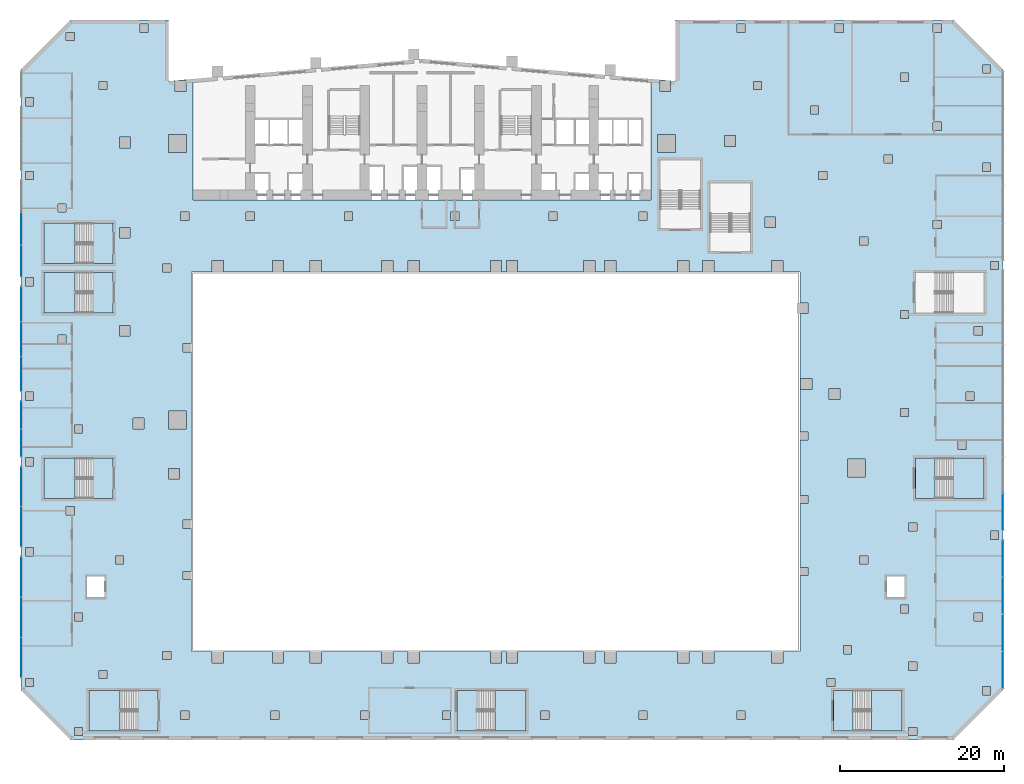
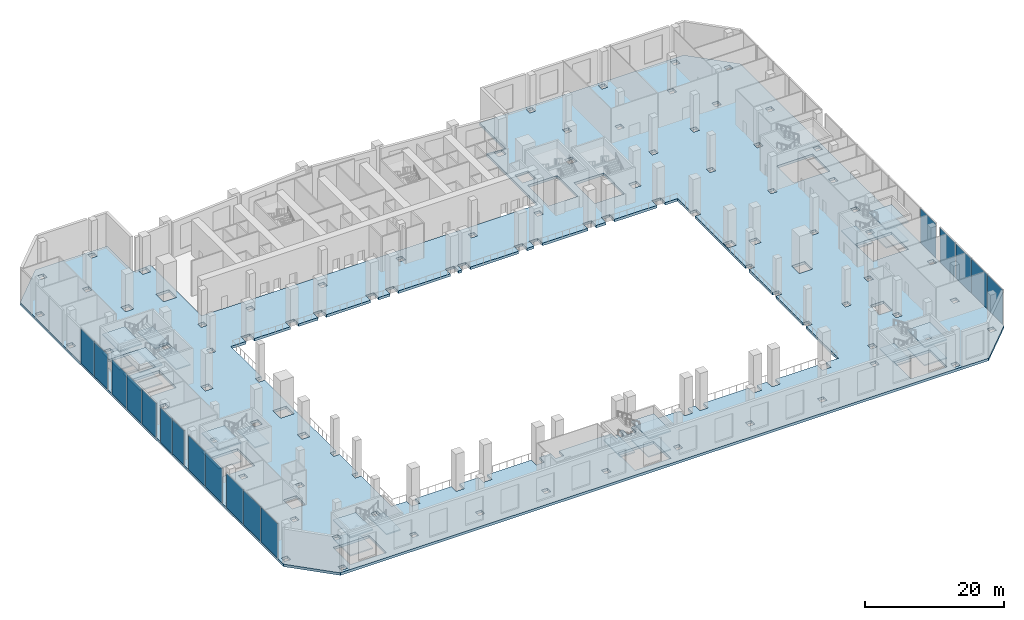
# One storey, part 8 of 30: 22 slabs, 17 plates, 14 elements without a shape of their own.
"""IFC4 building model written with IfcOpenShell, lengths in metres."""

from ifc_helpers import new_model, si_unit, direction, frame, origin, origin_2d, place, context, subcontext, project, spatial, polyline, rectangle, outline, extrude, material, layer, layer_set, type_object, element, aggregate, save


model = new_model("IFC4")

# Units and contexts
model_context = context("Model", 3, precision=1e-05, world=origin(), true_north=direction((0.0, 1.0)))
body_context = subcontext(model_context, "Body", "Model", "MODEL_VIEW")
ifc_project = project(units=[si_unit("LENGTHUNIT", "METRE"), si_unit("AREAUNIT", "SQUARE_METRE"), si_unit("VOLUMEUNIT", "CUBIC_METRE"), si_unit("PLANEANGLEUNIT", "RADIAN"), si_unit("MASSUNIT", "GRAM", prefix="KILO")], contexts=[model_context])

# Site, building, storey
site_placement = place(None, origin())
site = spatial("IfcSite", under=ifc_project, at=site_placement, CompositionType="ELEMENT")
building_placement = place(site_placement, origin())
building = spatial("IfcBuilding", under=site, at=building_placement, Name="Wharfspan Tower", CompositionType="ELEMENT")
storey_placement = place(building_placement, frame((0.0, 0.0, 15.0)))
storey = spatial("IfcBuildingStorey", under=building, at=storey_placement, Name="L02", CompositionType="ELEMENT", Elevation=15.0)

# Curtain wall, plates
ifc_material_1 = material(Name="Aluminium 6063-T6", Category="aluminium")
curtain_wall_type = type_object("IfcCurtainWallType", Name="CURTAIN WALL ARENA STICK WALL", PredefinedType="NOTDEFINED", material=ifc_material_1)
curtain_wall_1_placement = place(storey_placement, origin())
curtain_wall_1 = element("IfcCurtainWall", 1, at=curtain_wall_1_placement, inside=storey, type_object=curtain_wall_type, Name="Concourse stick wall PF3.1", PredefinedType="NOTDEFINED")
ifc_material_2 = material(Name="Glass clear laminated double glazing", Category="glass")
ifc_layer_1 = layer(ifc_material_2, 0.040039)
ifc_layer_set_1 = layer_set([ifc_layer_1], Name="Glass clear laminated double glazing")
plate_type = type_object("IfcPlateType", Name="GLASS PANEL ARENA STICK WALL 40", PredefinedType="CURTAIN_PANEL", material=ifc_layer_set_1)
plate_1_placement = place(storey_placement, frame((108.0, -23.45752, 0.0), z_axis=(0.0, 0.0, 1.0), x_axis=(0.0, 1.0, 0.0)))
plate_1 = element("IfcPlate", 2, at=plate_1_placement, type_object=plate_type, Name="Concourse stick wall PF3.1 panel 1", PredefinedType="CURTAIN_PANEL", context=body_context, shape_type="SweptSolid", body=[
    extrude(rectangle(XDim=4.445068, YDim=0.040039, at=origin_2d()), origin(), (0.0, 0.0, 1.0), 6.110107),
])
plate_2_placement = place(storey_placement, frame((108.0, -18.925049, 0.0), z_axis=(0.0, 0.0, 1.0), x_axis=(0.0, 1.0, 0.0)))
plate_2 = element("IfcPlate", 3, at=plate_2_placement, type_object=plate_type, Name="Concourse stick wall PF3.1 panel 2", PredefinedType="CURTAIN_PANEL", context=body_context, shape_type="SweptSolid", body=[
    extrude(rectangle(XDim=4.47998, YDim=0.040039, at=origin_2d()), origin(), (0.0, 0.0, 1.0), 6.110107),
])
plate_3_placement = place(storey_placement, frame((108.0, -14.375, 0.0), z_axis=(0.0, 0.0, 1.0), x_axis=(0.0, 1.0, 0.0)))
plate_3 = element("IfcPlate", 4, at=plate_3_placement, type_object=plate_type, Name="Concourse stick wall PF3.1 panel 3", PredefinedType="CURTAIN_PANEL", context=body_context, shape_type="SweptSolid", body=[
    extrude(rectangle(XDim=4.47998, YDim=0.040039, at=origin_2d()), origin(), (0.0, 0.0, 1.0), 6.110107),
])
plate_4_placement = place(storey_placement, frame((108.0, -9.842529, 0.0), z_axis=(0.0, 0.0, 1.0), x_axis=(0.0, 1.0, 0.0)))
plate_4 = element("IfcPlate", 5, at=plate_4_placement, type_object=plate_type, Name="Concourse stick wall PF3.1 panel 4", PredefinedType="CURTAIN_PANEL", context=body_context, shape_type="SweptSolid", body=[
    extrude(rectangle(XDim=4.445068, YDim=0.040039, at=origin_2d()), origin(), (0.0, 0.0, 1.0), 6.110107),
])
aggregate(curtain_wall_1, [plate_1, plate_2, plate_3, plate_4])

# Curtain wall, plate
curtain_wall_2_placement = place(storey_placement, origin())
curtain_wall_2 = element("IfcCurtainWall", 6, at=curtain_wall_2_placement, inside=storey, type_object=curtain_wall_type, Name="Concourse stick wall PF3.2", PredefinedType="NOTDEFINED")
plate_5_placement = place(storey_placement, frame((108.0, -4.153809, 0.0), z_axis=(0.0, 0.0, 1.0), x_axis=(0.0, 1.0, 0.0)))
plate_5 = element("IfcPlate", 7, at=plate_5_placement, type_object=plate_type, Name="Concourse stick wall PF3.2 panel 1", PredefinedType="CURTAIN_PANEL", context=body_context, shape_type="SweptSolid", body=[
    extrude(rectangle(XDim=4.452148, YDim=0.040039, at=origin_2d()), origin(), (0.0, 0.0, 1.0), 6.110107),
])
aggregate(curtain_wall_2, [plate_5])

# Curtain wall, plates
curtain_wall_3_placement = place(storey_placement, origin())
curtain_wall_3 = element("IfcCurtainWall", 8, at=curtain_wall_3_placement, inside=storey, type_object=curtain_wall_type, Name="Concourse stick wall PF12.3", PredefinedType="NOTDEFINED")
plate_6_placement = place(storey_placement, frame((-12.0, 30.5, 0.0), z_axis=(0.0, 0.0, 1.0), x_axis=(0.0, -1.0, 0.0)))
plate_6 = element("IfcPlate", 9, at=plate_6_placement, type_object=plate_type, Name="Concourse stick wall PF12.3 panel 2", PredefinedType="CURTAIN_PANEL", context=body_context, shape_type="SweptSolid", body=[
    extrude(rectangle(XDim=3.896729, YDim=0.040039, at=origin_2d()), origin(), (0.0, 0.0, 1.0), 6.110107),
])
plate_7_placement = place(storey_placement, frame((-12.0, 26.550781, 0.0), z_axis=(0.0, 0.0, 1.0), x_axis=(0.0, -1.0, 0.0)))
plate_7 = element("IfcPlate", 10, at=plate_7_placement, type_object=plate_type, Name="Concourse stick wall PF12.3 panel 3", PredefinedType="CURTAIN_PANEL", context=body_context, shape_type="SweptSolid", body=[
    extrude(rectangle(XDim=3.861572, YDim=0.040039, at=origin_2d()), origin(), (0.0, 0.0, 1.0), 6.110107),
])
aggregate(curtain_wall_3, [plate_6, plate_7])

curtain_wall_4_placement = place(storey_placement, origin())
curtain_wall_4 = element("IfcCurtainWall", 11, at=curtain_wall_4_placement, inside=storey, type_object=curtain_wall_type, Name="Concourse stick wall PF12.4", PredefinedType="NOTDEFINED")
plate_8_placement = place(storey_placement, frame((-12.0, 21.282471, 0.0), z_axis=(0.0, 0.0, 1.0), x_axis=(0.0, -1.0, 0.0)))
plate_8 = element("IfcPlate", 12, at=plate_8_placement, type_object=plate_type, Name="Concourse stick wall PF12.4 panel 1", PredefinedType="CURTAIN_PANEL", context=body_context, shape_type="SweptSolid", body=[
    extrude(rectangle(XDim=4.195068, YDim=0.040039, at=origin_2d()), origin(), (0.0, 0.0, 1.0), 6.110107),
])
plate_9_placement = place(storey_placement, frame((-12.0, 17.0, 0.0), z_axis=(0.0, 0.0, 1.0), x_axis=(0.0, -1.0, 0.0)))
plate_9 = element("IfcPlate", 13, at=plate_9_placement, type_object=plate_type, Name="Concourse stick wall PF12.4 panel 2", PredefinedType="CURTAIN_PANEL", context=body_context, shape_type="SweptSolid", body=[
    extrude(rectangle(XDim=4.22998, YDim=0.040039, at=origin_2d()), origin(), (0.0, 0.0, 1.0), 6.110107),
])
plate_10_placement = place(storey_placement, frame((-12.0, 12.717529, 0.0), z_axis=(0.0, 0.0, 1.0), x_axis=(0.0, -1.0, 0.0)))
plate_10 = element("IfcPlate", 14, at=plate_10_placement, type_object=plate_type, Name="Concourse stick wall PF12.4 panel 3", PredefinedType="CURTAIN_PANEL", context=body_context, shape_type="SweptSolid", body=[
    extrude(rectangle(XDim=4.195068, YDim=0.040039, at=origin_2d()), origin(), (0.0, 0.0, 1.0), 6.110107),
])
aggregate(curtain_wall_4, [plate_8, plate_9, plate_10])

curtain_wall_5_placement = place(storey_placement, origin())
curtain_wall_5 = element("IfcCurtainWall", 15, at=curtain_wall_5_placement, inside=storey, type_object=curtain_wall_type, Name="Concourse stick wall PF12.5", PredefinedType="NOTDEFINED")
plate_11_placement = place(storey_placement, frame((-12.0, 7.70752, 0.0), z_axis=(0.0, 0.0, 1.0), x_axis=(0.0, -1.0, 0.0)))
plate_11 = element("IfcPlate", 16, at=plate_11_placement, type_object=plate_type, Name="Concourse stick wall PF12.5 panel 1", PredefinedType="CURTAIN_PANEL", context=body_context, shape_type="SweptSolid", body=[
    extrude(rectangle(XDim=3.344971, YDim=0.040039, at=origin_2d()), origin(), (0.0, 0.0, 1.0), 6.110107),
])
plate_12_placement = place(storey_placement, frame((-12.0, 4.29248, 0.0), z_axis=(0.0, 0.0, 1.0), x_axis=(0.0, -1.0, 0.0)))
plate_12 = element("IfcPlate", 17, at=plate_12_placement, type_object=plate_type, Name="Concourse stick wall PF12.5 panel 2", PredefinedType="CURTAIN_PANEL", context=body_context, shape_type="SweptSolid", body=[
    extrude(rectangle(XDim=3.344971, YDim=0.040039, at=origin_2d()), origin(), (0.0, 0.0, 1.0), 6.110107),
])
aggregate(curtain_wall_5, [plate_11, plate_12])

curtain_wall_6_placement = place(storey_placement, origin())
curtain_wall_6 = element("IfcCurtainWall", 18, at=curtain_wall_6_placement, inside=storey, type_object=curtain_wall_type, Name="Concourse stick wall PF12.6", PredefinedType="NOTDEFINED")
plate_13_placement = place(storey_placement, frame((-12.0, -1.04248, 0.0), z_axis=(0.0, 0.0, 1.0), x_axis=(0.0, -1.0, 0.0)))
plate_13 = element("IfcPlate", 19, at=plate_13_placement, type_object=plate_type, Name="Concourse stick wall PF12.6 panel 1", PredefinedType="CURTAIN_PANEL", context=body_context, shape_type="SweptSolid", body=[
    extrude(rectangle(XDim=4.844971, YDim=0.040039, at=origin_2d()), origin(), (0.0, 0.0, 1.0), 6.110107),
])
plate_14_placement = place(storey_placement, frame((-12.0, -5.95752, 0.0), z_axis=(0.0, 0.0, 1.0), x_axis=(0.0, -1.0, 0.0)))
plate_14 = element("IfcPlate", 20, at=plate_14_placement, type_object=plate_type, Name="Concourse stick wall PF12.6 panel 2", PredefinedType="CURTAIN_PANEL", context=body_context, shape_type="SweptSolid", body=[
    extrude(rectangle(XDim=4.844971, YDim=0.040039, at=origin_2d()), origin(), (0.0, 0.0, 1.0), 6.110107),
])
aggregate(curtain_wall_6, [plate_13, plate_14])

curtain_wall_7_placement = place(storey_placement, origin())
curtain_wall_7 = element("IfcCurtainWall", 21, at=curtain_wall_7_placement, inside=storey, type_object=curtain_wall_type, Name="Concourse stick wall PF12.7", PredefinedType="NOTDEFINED")
plate_15_placement = place(storey_placement, frame((-12.0, -12.050781, 0.0), z_axis=(0.0, 0.0, 1.0), x_axis=(0.0, -1.0, 0.0)))
plate_15 = element("IfcPlate", 22, at=plate_15_placement, type_object=plate_type, Name="Concourse stick wall PF12.7 panel 1", PredefinedType="CURTAIN_PANEL", context=body_context, shape_type="SweptSolid", body=[
    extrude(rectangle(XDim=4.861572, YDim=0.040039, at=origin_2d()), origin(), (0.0, 0.0, 1.0), 6.110107),
])
plate_16_placement = place(storey_placement, frame((-12.0, -17.0, 0.0), z_axis=(0.0, 0.0, 1.0), x_axis=(0.0, -1.0, 0.0)))
plate_16 = element("IfcPlate", 23, at=plate_16_placement, type_object=plate_type, Name="Concourse stick wall PF12.7 panel 2", PredefinedType="CURTAIN_PANEL", context=body_context, shape_type="SweptSolid", body=[
    extrude(rectangle(XDim=4.896729, YDim=0.040039, at=origin_2d()), origin(), (0.0, 0.0, 1.0), 6.110107),
])
plate_17_placement = place(storey_placement, frame((-12.0, -21.949219, 0.0), z_axis=(0.0, 0.0, 1.0), x_axis=(0.0, -1.0, 0.0)))
plate_17 = element("IfcPlate", 24, at=plate_17_placement, type_object=plate_type, Name="Concourse stick wall PF12.7 panel 3", PredefinedType="CURTAIN_PANEL", context=body_context, shape_type="SweptSolid", body=[
    extrude(rectangle(XDim=4.861572, YDim=0.040039, at=origin_2d()), origin(), (0.0, 0.0, 1.0), 6.110107),
])
aggregate(curtain_wall_7, [plate_15, plate_16, plate_17])

# Slab
ifc_material_3 = material(Name="Concrete C35/45", Category="concrete")
ifc_layer_2 = layer(ifc_material_3, 0.449951)
ifc_layer_set_2 = layer_set([ifc_layer_2], Name="Concrete C35/45")
slab_type_1 = type_object("IfcSlabType", Name="Podium deck 450", PredefinedType="FLOOR", material=ifc_layer_set_2)
slab_1_placement = place(storey_placement, frame((0.0, 0.0, -0.450195)))
element("IfcSlab", 25, at=slab_1_placement, inside=storey, type_object=slab_type_1, Name="Deck L02", PredefinedType="FLOOR", context=body_context, shape_type="SweptSolid", body=[
    extrude(outline(polyline([(6.0, 56.0), (6.0, 48.524902), (12.0, 49.049805), (12.0, 49.049805), (9.0, 48.787354), (9.0, 34.0), (65.0, 34.0), (65.0, 48.787354), (60.0, 49.224854), (60.0, 49.224854), (68.0, 48.524902), (68.0, 56.0), (102.0, 56.0), (108.0, 50.0), (108.0, -26.0), (102.0, -32.0), (-6.0, -32.0), (-12.0, -26.0), (-12.0, 50.0), (-6.0, 56.0), (6.0, 56.0)]), holes=[polyline([(11.300049, -21.199951), (11.300049, -22.600098), (12.699951, -22.600098), (12.699951, -21.199951), (18.690918, -21.199951), (18.690918, -22.600098), (20.091064, -22.600098), (20.091064, -21.199951), (23.300049, -21.199951), (23.300049, -22.600098), (24.699951, -22.600098), (24.699951, -21.199951), (32.023926, -21.199951), (32.023926, -22.600098), (33.424072, -22.600098), (33.424072, -21.199951), (35.300049, -21.199951), (35.300049, -22.600098), (36.699951, -22.600098), (36.699951, -21.199951), (45.342041, -21.199951), (45.342041, -22.600098), (46.741943, -22.600098), (46.741943, -21.199951), (47.300049, -21.199951), (47.300049, -22.600098), (48.699951, -22.600098), (48.699951, -21.199951), (56.741943, -21.199951), (56.741943, -22.600098), (58.14209, -22.600098), (58.14209, -21.199951), (59.300049, -21.199951), (59.300049, -22.600098), (60.699951, -22.600098), (60.699951, -21.199951), (68.241943, -21.199951), (68.241943, -22.600098), (69.64209, -22.600098), (69.64209, -21.199951), (71.300049, -21.199951), (71.300049, -22.600098), (72.699951, -22.600098), (72.699951, -21.199951), (79.741943, -21.199951), (79.741943, -22.600098), (81.14209, -22.600098), (81.14209, -21.199951), (83.199951, -21.199951), (83.199951, -11.919922), (84.199951, -11.919922), (84.199951, -10.919922), (83.199951, -10.919922), (83.199951, -3.139893), (84.199951, -3.139893), (84.199951, -2.139893), (83.199951, -2.139893), (83.199951, 4.639893), (84.199951, 4.639893), (84.199951, 5.639893), (83.199951, 5.639893), (83.199951, 20.108398), (84.166992, 20.108398), (84.166992, 21.428223), (83.199951, 21.428223), (83.199951, 25.199951), (81.14209, 25.199951), (81.14209, 26.600098), (79.741943, 26.600098), (79.741943, 25.199951), (72.699951, 25.199951), (72.699951, 26.600098), (71.300049, 26.600098), (71.300049, 25.199951), (69.64209, 25.199951), (69.64209, 26.600098), (68.241943, 26.600098), (68.241943, 25.199951), (60.699951, 25.199951), (60.699951, 26.600098), (59.300049, 26.600098), (59.300049, 25.199951), (58.14209, 25.199951), (58.14209, 26.600098), (56.741943, 26.600098), (56.741943, 25.199951), (48.699951, 25.199951), (48.699951, 26.600098), (47.300049, 26.600098), (47.300049, 25.199951), (46.741943, 25.199951), (46.741943, 26.600098), (45.342041, 26.600098), (45.342041, 25.199951), (36.699951, 25.199951), (36.699951, 26.600098), (35.300049, 26.600098), (35.300049, 25.199951), (33.424072, 25.199951), (33.424072, 26.600098), (32.023926, 26.600098), (32.023926, 25.199951), (24.699951, 25.199951), (24.699951, 26.600098), (23.300049, 26.600098), (23.300049, 25.199951), (20.091064, 25.199951), (20.091064, 26.600098), (18.690918, 26.600098), (18.690918, 25.199951), (12.699951, 25.199951), (12.699951, 26.600098), (11.300049, 26.600098), (11.300049, 25.199951), (8.800049, 25.199951), (8.800049, 16.419922), (7.800049, 16.419922), (7.800049, 15.419922), (8.800049, 15.419922), (8.800049, -5.139893), (7.800049, -5.139893), (7.800049, -6.139893), (8.800049, -6.139893), (8.800049, -11.419922), (7.800049, -11.419922), (7.800049, -12.419922), (8.800049, -12.419922), (8.800049, -21.199951), (11.300049, -21.199951)]), polyline([(-3.699951, -25.949951), (-3.699951, -30.899902), (2.300049, -30.899902), (2.300049, -25.949951), (-3.699951, -25.949951)]), polyline([(49.699951, -25.949951), (43.699951, -25.949951), (43.699951, -30.899902), (49.699951, -30.899902), (49.699951, -25.949951)]), polyline([(-1.800049, -12.0), (-4.0, -12.0), (-4.0, -14.600098), (-1.800049, -14.600098), (-1.800049, -12.0)]), polyline([(-9.199951, 2.449951), (-9.199951, -2.5), (-3.199951, -2.5), (-3.199951, 2.449951), (-9.199951, 2.449951)]), polyline([(-3.199951, 25.149902), (-9.199951, 25.149902), (-9.199951, 20.199951), (-3.199951, 20.199951), (-3.199951, 25.149902)]), polyline([(-3.199951, 31.175049), (-9.199951, 31.175049), (-9.199951, 26.225098), (-3.199951, 26.225098), (-3.199951, 31.175049)]), polyline([(89.699951, -25.949951), (89.699951, -30.899902), (95.699951, -30.899902), (95.699951, -25.949951), (89.699951, -25.949951)]), polyline([(96.0, -12.0), (93.800049, -12.0), (93.800049, -14.600098), (96.0, -14.600098), (96.0, -12.0)]), polyline([(105.699951, 2.449951), (99.699951, 2.449951), (99.699951, -2.5), (105.699951, -2.5), (105.699951, 2.449951)]), polyline([(99.699951, 25.149902), (99.699951, 20.199951), (105.699951, 20.199951), (105.699951, 25.149902), (99.699951, 25.149902)]), polyline([(77.16748, 36.100098), (72.217529, 36.100098), (72.217529, 30.100098), (77.16748, 30.100098), (77.16748, 36.100098)]), polyline([(71.050049, 38.899902), (66.100098, 38.899902), (66.100098, 32.899902), (71.050049, 32.899902), (71.050049, 38.899902)]), polyline([(-5.5, -31.5), (-4.5, -31.5), (-4.5, -30.5), (-5.5, -30.5), (-5.5, -31.5)]), polyline([(-11.5, -24.5), (-11.5, -25.5), (-10.5, -25.5), (-10.5, -24.5), (-11.5, -24.5)]), polyline([(-2.5, -23.5), (-2.5, -24.5), (-1.5, -24.5), (-1.5, -23.5), (-2.5, -23.5)]), polyline([(5.300049, -21.199951), (5.300049, -22.199951), (6.300049, -22.199951), (6.300049, -21.199951), (5.300049, -21.199951)]), polyline([(-5.5, -16.5), (-5.5, -17.5), (-4.5, -17.5), (-4.5, -16.5), (-5.5, -16.5)]), polyline([(-0.5, -9.5), (-0.5, -10.5), (0.5, -10.5), (0.5, -9.5), (-0.5, -9.5)]), polyline([(-11.5, -8.5), (-11.5, -9.5), (-10.5, -9.5), (-10.5, -8.5), (-11.5, -8.5)]), polyline([(-6.5, -4.5), (-5.5, -4.5), (-5.5, -3.5), (-6.5, -3.5), (-6.5, -4.5)]), polyline([(6.034424, 1.188721), (6.034424, -0.131348), (7.354492, -0.131348), (7.354492, 1.188721), (6.034424, 1.188721)]), polyline([(-11.5, 2.5), (-11.5, 1.5), (-10.5, 1.5), (-10.5, 2.5), (-11.5, 2.5)]), polyline([(-5.5, 6.5), (-5.5, 5.5), (-4.5, 5.5), (-4.5, 6.5), (-5.5, 6.5)]), polyline([(1.671631, 7.327393), (1.671631, 6.007324), (2.991699, 6.007324), (2.991699, 7.327393), (1.671631, 7.327393)]), polyline([(6.0, 8.199951), (6.0, 6.0), (8.199951, 6.0), (8.199951, 8.199951), (6.0, 8.199951)]), polyline([(-11.5, 10.5), (-11.5, 9.5), (-10.5, 9.5), (-10.5, 10.5), (-11.5, 10.5)]), polyline([(-7.5, 16.5), (-6.5, 16.5), (-6.5, 17.5), (-7.5, 17.5), (-7.5, 16.5)]), polyline([(0.0, 18.659912), (0.0, 17.340088), (1.320068, 17.340088), (1.320068, 18.659912), (0.0, 18.659912)]), polyline([(-11.5, 24.5), (-11.5, 23.5), (-10.5, 23.5), (-10.5, 24.5), (-11.5, 24.5)]), polyline([(5.300049, 26.199951), (5.300049, 25.199951), (6.300049, 25.199951), (6.300049, 26.199951), (5.300049, 26.199951)]), polyline([(0.0, 30.659912), (0.0, 29.340088), (1.320068, 29.340088), (1.320068, 30.659912), (0.0, 30.659912)]), polyline([(7.5, 32.5), (7.5, 31.5), (8.5, 31.5), (8.5, 32.5), (7.5, 32.5)]), polyline([(-7.5, 33.5), (-7.5, 32.5), (-6.5, 32.5), (-6.5, 33.5), (-7.5, 33.5)]), polyline([(-11.5, 36.5), (-10.5, 36.5), (-10.5, 37.5), (-11.5, 37.5), (-11.5, 36.5)]), polyline([(6.0, 42.0), (6.0, 39.800049), (8.199951, 39.800049), (8.199951, 42.0), (6.0, 42.0)]), polyline([(0.024902, 41.694092), (0.024902, 40.374268), (1.344727, 40.374268), (1.344727, 41.694092), (0.024902, 41.694092)]), polyline([(-11.5, 46.5), (-11.5, 45.5), (-10.5, 45.5), (-10.5, 46.5), (-11.5, 46.5)]), polyline([(6.806396, 48.59375), (6.806396, 47.273682), (8.126465, 47.273682), (8.126465, 48.59375), (6.806396, 48.59375)]), polyline([(-2.5, 48.5), (-2.5, 47.5), (-1.5, 47.5), (-1.5, 48.5), (-2.5, 48.5)]), polyline([(-6.5, 54.5), (-6.5, 53.5), (-5.5, 53.5), (-5.5, 54.5), (-6.5, 54.5)]), polyline([(2.5, 54.5), (3.5, 54.5), (3.5, 55.5), (2.5, 55.5), (2.5, 54.5)]), polyline([(7.5, -28.5), (7.5, -29.5), (8.5, -29.5), (8.5, -28.5), (7.5, -28.5)]), polyline([(51.5, -28.5), (51.5, -29.5), (52.5, -29.5), (52.5, -28.5), (51.5, -28.5)]), polyline([(39.5, -28.5), (39.5, -29.5), (40.5, -29.5), (40.5, -28.5), (39.5, -28.5)]), polyline([(18.5, -28.5), (18.5, -29.5), (19.5, -29.5), (19.5, -28.5), (18.5, -28.5)]), polyline([(29.5, -28.5), (29.5, -29.5), (30.5, -29.5), (30.5, -28.5), (29.5, -28.5)]), polyline([(27.5, 32.5), (27.5, 31.5), (28.5, 31.5), (28.5, 32.5), (27.5, 32.5)]), polyline([(15.5, 32.5), (15.5, 31.5), (16.5, 31.5), (16.5, 32.5), (15.5, 32.5)]), polyline([(40.5, 32.5), (40.5, 31.5), (41.5, 31.5), (41.5, 32.5), (40.5, 32.5)]), polyline([(75.5, -28.5), (75.5, -29.5), (76.5, -29.5), (76.5, -28.5), (75.5, -28.5)]), polyline([(63.5, -28.5), (63.5, -29.5), (64.5, -29.5), (64.5, -28.5), (63.5, -28.5)]), polyline([(86.5, -24.5), (86.5, -25.5), (87.5, -25.5), (87.5, -24.5), (86.5, -24.5)]), polyline([(83.300049, 12.199951), (83.300049, 10.800049), (84.699951, 10.800049), (84.699951, 12.199951), (83.300049, 12.199951)]), polyline([(78.909424, 31.928223), (78.909424, 30.608398), (80.229492, 30.608398), (80.229492, 31.928223), (78.909424, 31.928223)]), polyline([(52.5, 31.5), (53.5, 31.5), (53.5, 32.5), (52.5, 32.5), (52.5, 31.5)]), polyline([(63.5, 32.5), (63.5, 31.5), (64.5, 31.5), (64.5, 32.5), (63.5, 32.5)]), polyline([(85.5, 37.5), (85.5, 36.5), (86.5, 36.5), (86.5, 37.5), (85.5, 37.5)]), polyline([(65.800049, 42.0), (65.800049, 39.800049), (68.0, 39.800049), (68.0, 42.0), (65.800049, 42.0)]), polyline([(73.974365, 41.856201), (73.974365, 40.536377), (75.294434, 40.536377), (75.294434, 41.856201), (73.974365, 41.856201)]), polyline([(84.5, 45.5), (84.5, 44.5), (85.5, 44.5), (85.5, 45.5), (84.5, 45.5)]), polyline([(66.087646, 48.575195), (66.087646, 47.255371), (67.407715, 47.255371), (67.407715, 48.575195), (66.087646, 48.575195)]), polyline([(77.5, 47.5), (78.5, 47.5), (78.5, 48.5), (77.5, 48.5), (77.5, 47.5)]), polyline([(75.5, 55.5), (75.5, 54.5), (76.5, 54.5), (76.5, 55.5), (75.5, 55.5)]), polyline([(96.5, -30.5), (96.5, -31.5), (97.5, -31.5), (97.5, -30.5), (96.5, -30.5)]), polyline([(105.5, -25.5), (105.5, -26.5), (106.5, -26.5), (106.5, -25.5), (105.5, -25.5)]), polyline([(96.5, -22.5), (96.5, -23.5), (97.5, -23.5), (97.5, -22.5), (96.5, -22.5)]), polyline([(88.5, -20.5), (88.5, -21.5), (89.5, -21.5), (89.5, -20.5), (88.5, -20.5)]), polyline([(104.5, -17.5), (105.5, -17.5), (105.5, -16.5), (104.5, -16.5), (104.5, -17.5)]), polyline([(95.5, -15.5), (95.5, -16.5), (96.5, -16.5), (96.5, -15.5), (95.5, -15.5)]), polyline([(90.5, -9.5), (90.5, -10.5), (91.5, -10.5), (91.5, -9.5), (90.5, -9.5)]), polyline([(106.5, -6.5), (106.5, -7.5), (107.5, -7.5), (107.5, -6.5), (106.5, -6.5)]), polyline([(96.5, -5.5), (96.5, -6.5), (97.5, -6.5), (97.5, -5.5), (96.5, -5.5)]), polyline([(88.996582, 2.299805), (88.996582, 0.099609), (91.196533, 0.099609), (91.196533, 2.299805), (88.996582, 2.299805)]), polyline([(102.5, 4.5), (102.5, 3.5), (103.5, 3.5), (103.5, 4.5), (102.5, 4.5)]), polyline([(95.5, 7.5), (96.5, 7.5), (96.5, 8.5), (95.5, 8.5), (95.5, 7.5)]), polyline([(103.5, 10.5), (103.5, 9.5), (104.5, 9.5), (104.5, 10.5), (103.5, 10.5)]), polyline([(86.784424, 10.928223), (86.784424, 9.608398), (88.104492, 9.608398), (88.104492, 10.928223), (86.784424, 10.928223)]), polyline([(104.5, 18.5), (104.5, 17.5), (105.5, 17.5), (105.5, 18.5), (104.5, 18.5)]), polyline([(95.5, 20.5), (95.5, 19.5), (96.5, 19.5), (96.5, 20.5), (95.5, 20.5)]), polyline([(106.5, 26.5), (106.5, 25.5), (107.5, 25.5), (107.5, 26.5), (106.5, 26.5)]), polyline([(90.5, 29.5), (90.5, 28.5), (91.5, 28.5), (91.5, 29.5), (90.5, 29.5)]), polyline([(99.5, 31.5), (99.5, 30.5), (100.5, 30.5), (100.5, 31.5), (99.5, 31.5)]), polyline([(105.5, 38.5), (105.5, 37.5), (106.5, 37.5), (106.5, 38.5), (105.5, 38.5)]), polyline([(93.5, 39.5), (93.5, 38.5), (94.5, 38.5), (94.5, 39.5), (93.5, 39.5)]), polyline([(99.5, 43.5), (99.5, 42.5), (100.5, 42.5), (100.5, 43.5), (99.5, 43.5)]), polyline([(95.5, 49.5), (95.5, 48.5), (96.5, 48.5), (96.5, 49.5), (95.5, 49.5)]), polyline([(105.5, 50.5), (105.5, 49.5), (106.5, 49.5), (106.5, 50.5), (105.5, 50.5)]), polyline([(99.5, 55.5), (99.5, 54.5), (100.5, 54.5), (100.5, 55.5), (99.5, 55.5)]), polyline([(87.5, 55.5), (87.5, 54.5), (88.5, 54.5), (88.5, 55.5), (87.5, 55.5)])]), origin(), (0.0, 0.0, 1.0), 0.450195),
])

# Stair, slabs
ifc_material_4 = material(Name="Concrete C40/50", Category="concrete")
stair_type = type_object("IfcStairType", Name="Half-turn stair 2400 wide 36 risers 181 mm", PredefinedType="HALF_TURN_STAIR", material=ifc_material_4)
stair_1_placement = place(storey_placement, origin())
stair_1 = element("IfcStair", 26, at=stair_1_placement, inside=storey, type_object=stair_type, Name="L02 stair AS1", PredefinedType="HALF_TURN_STAIR")
ifc_layer_3 = layer(ifc_material_4, 0.199951)
ifc_layer_set_3 = layer_set([ifc_layer_3], Name="Concrete C40/50")
slab_type_2 = type_object("IfcSlabType", Name="Podium stair landing 200", PredefinedType="LANDING", material=ifc_layer_set_3)
slab_2_placement = place(storey_placement, frame((0.0, 0.0, 1.424805)))
slab_2 = element("IfcSlab", 27, at=slab_2_placement, type_object=slab_type_2, Name="AS1 landing 1", PredefinedType="LANDING", context=body_context, shape_type="SweptSolid", body=[
    extrude(outline(polyline([(0.060059, -25.949951), (-3.699951, -25.949951), (-3.699951, -30.899902), (0.060059, -30.899902), (0.060059, -25.949951)])), origin(), (0.0, 0.0, 1.0), 0.200195),
])
slab_3_placement = place(storey_placement, frame((0.0, 0.0, 3.049805)))
slab_3 = element("IfcSlab", 28, at=slab_3_placement, type_object=slab_type_2, Name="AS1 landing 2", PredefinedType="LANDING", context=body_context, shape_type="SweptSolid", body=[
    extrude(outline(polyline([(4.699951, -25.949951), (2.300049, -25.949951), (2.300049, -30.899902), (4.699951, -30.899902), (4.699951, -25.949951)])), origin(), (0.0, 0.0, 1.0), 0.200195),
])
slab_4_placement = place(storey_placement, frame((0.0, 0.0, 4.674805)))
slab_4 = element("IfcSlab", 29, at=slab_4_placement, type_object=slab_type_2, Name="AS1 landing 3", PredefinedType="LANDING", context=body_context, shape_type="SweptSolid", body=[
    extrude(outline(polyline([(0.060059, -25.949951), (-3.699951, -25.949951), (-3.699951, -30.899902), (0.060059, -30.899902), (0.060059, -25.949951)])), origin(), (0.0, 0.0, 1.0), 0.200195),
])
aggregate(stair_1, [slab_2, slab_3, slab_4])

stair_2_placement = place(storey_placement, origin())
stair_2 = element("IfcStair", 30, at=stair_2_placement, inside=storey, type_object=stair_type, Name="L02 stair AS5", PredefinedType="HALF_TURN_STAIR")
slab_5_placement = place(storey_placement, frame((0.0, 0.0, 1.424805)))
slab_5 = element("IfcSlab", 31, at=slab_5_placement, type_object=slab_type_2, Name="AS5 landing 1", PredefinedType="LANDING", context=body_context, shape_type="SweptSolid", body=[
    extrude(outline(polyline([(45.939941, -30.899902), (49.699951, -30.899902), (49.699951, -25.949951), (45.939941, -25.949951), (45.939941, -30.899902)])), origin(), (0.0, 0.0, 1.0), 0.200195),
])
slab_6_placement = place(storey_placement, frame((0.0, 0.0, 3.049805)))
slab_6 = element("IfcSlab", 32, at=slab_6_placement, type_object=slab_type_2, Name="AS5 landing 2", PredefinedType="LANDING", context=body_context, shape_type="SweptSolid", body=[
    extrude(outline(polyline([(41.300049, -30.899902), (43.699951, -30.899902), (43.699951, -25.949951), (41.300049, -25.949951), (41.300049, -30.899902)])), origin(), (0.0, 0.0, 1.0), 0.200195),
])
slab_7_placement = place(storey_placement, frame((0.0, 0.0, 4.674805)))
slab_7 = element("IfcSlab", 33, at=slab_7_placement, type_object=slab_type_2, Name="AS5 landing 3", PredefinedType="LANDING", context=body_context, shape_type="SweptSolid", body=[
    extrude(outline(polyline([(45.939941, -30.899902), (49.699951, -30.899902), (49.699951, -25.949951), (45.939941, -25.949951), (45.939941, -30.899902)])), origin(), (0.0, 0.0, 1.0), 0.200195),
])
aggregate(stair_2, [slab_5, slab_6, slab_7])

stair_3_placement = place(storey_placement, origin())
stair_3 = element("IfcStair", 34, at=stair_3_placement, inside=storey, type_object=stair_type, Name="L02 stair AS2", PredefinedType="HALF_TURN_STAIR")
slab_8_placement = place(storey_placement, frame((0.0, 0.0, 1.424805)))
slab_8 = element("IfcSlab", 35, at=slab_8_placement, type_object=slab_type_2, Name="AS2 landing 1", PredefinedType="LANDING", context=body_context, shape_type="SweptSolid", body=[
    extrude(outline(polyline([(91.939941, -30.899902), (95.699951, -30.899902), (95.699951, -25.949951), (91.939941, -25.949951), (91.939941, -30.899902)])), origin(), (0.0, 0.0, 1.0), 0.200195),
])
slab_9_placement = place(storey_placement, frame((0.0, 0.0, 3.049805)))
slab_9 = element("IfcSlab", 36, at=slab_9_placement, type_object=slab_type_2, Name="AS2 landing 2", PredefinedType="LANDING", context=body_context, shape_type="SweptSolid", body=[
    extrude(outline(polyline([(87.300049, -30.899902), (89.699951, -30.899902), (89.699951, -25.949951), (87.300049, -25.949951), (87.300049, -30.899902)])), origin(), (0.0, 0.0, 1.0), 0.200195),
])
slab_10_placement = place(storey_placement, frame((0.0, 0.0, 4.674805)))
slab_10 = element("IfcSlab", 37, at=slab_10_placement, type_object=slab_type_2, Name="AS2 landing 3", PredefinedType="LANDING", context=body_context, shape_type="SweptSolid", body=[
    extrude(outline(polyline([(91.939941, -30.899902), (95.699951, -30.899902), (95.699951, -25.949951), (91.939941, -25.949951), (91.939941, -30.899902)])), origin(), (0.0, 0.0, 1.0), 0.200195),
])
aggregate(stair_3, [slab_8, slab_9, slab_10])

stair_4_placement = place(storey_placement, origin())
stair_4 = element("IfcStair", 38, at=stair_4_placement, inside=storey, type_object=stair_type, Name="L02 stair AS7", PredefinedType="HALF_TURN_STAIR")
slab_11_placement = place(storey_placement, frame((0.0, 0.0, 1.424805)))
slab_11 = element("IfcSlab", 39, at=slab_11_placement, type_object=slab_type_2, Name="AS7 landing 1", PredefinedType="LANDING", context=body_context, shape_type="SweptSolid", body=[
    extrude(outline(polyline([(-5.439941, 2.449951), (-9.199951, 2.449951), (-9.199951, -2.5), (-5.439941, -2.5), (-5.439941, 2.449951)])), origin(), (0.0, 0.0, 1.0), 0.200195),
])
slab_12_placement = place(storey_placement, frame((0.0, 0.0, 3.049805)))
slab_12 = element("IfcSlab", 40, at=slab_12_placement, type_object=slab_type_2, Name="AS7 landing 2", PredefinedType="LANDING", context=body_context, shape_type="SweptSolid", body=[
    extrude(outline(polyline([(-0.800049, 2.449951), (-3.199951, 2.449951), (-3.199951, -2.5), (-0.800049, -2.5), (-0.800049, 2.449951)])), origin(), (0.0, 0.0, 1.0), 0.200195),
])
slab_13_placement = place(storey_placement, frame((0.0, 0.0, 4.674805)))
slab_13 = element("IfcSlab", 41, at=slab_13_placement, type_object=slab_type_2, Name="AS7 landing 3", PredefinedType="LANDING", context=body_context, shape_type="SweptSolid", body=[
    extrude(outline(polyline([(-5.439941, 2.449951), (-9.199951, 2.449951), (-9.199951, -2.5), (-5.439941, -2.5), (-5.439941, 2.449951)])), origin(), (0.0, 0.0, 1.0), 0.200195),
])
aggregate(stair_4, [slab_11, slab_12, slab_13])

stair_5_placement = place(storey_placement, origin())
stair_5 = element("IfcStair", 42, at=stair_5_placement, inside=storey, type_object=stair_type, Name="L02 stair AS8", PredefinedType="HALF_TURN_STAIR")
slab_14_placement = place(storey_placement, frame((0.0, 0.0, 1.424805)))
slab_14 = element("IfcSlab", 43, at=slab_14_placement, type_object=slab_type_2, Name="AS8 landing 1", PredefinedType="LANDING", context=body_context, shape_type="SweptSolid", body=[
    extrude(outline(polyline([(101.939941, -2.5), (105.699951, -2.5), (105.699951, 2.449951), (101.939941, 2.449951), (101.939941, -2.5)])), origin(), (0.0, 0.0, 1.0), 0.200195),
])
slab_15_placement = place(storey_placement, frame((0.0, 0.0, 3.049805)))
slab_15 = element("IfcSlab", 44, at=slab_15_placement, type_object=slab_type_2, Name="AS8 landing 2", PredefinedType="LANDING", context=body_context, shape_type="SweptSolid", body=[
    extrude(outline(polyline([(97.300049, -2.5), (99.699951, -2.5), (99.699951, 2.449951), (97.300049, 2.449951), (97.300049, -2.5)])), origin(), (0.0, 0.0, 1.0), 0.200195),
])
slab_16_placement = place(storey_placement, frame((0.0, 0.0, 4.674805)))
slab_16 = element("IfcSlab", 45, at=slab_16_placement, type_object=slab_type_2, Name="AS8 landing 3", PredefinedType="LANDING", context=body_context, shape_type="SweptSolid", body=[
    extrude(outline(polyline([(101.939941, -2.5), (105.699951, -2.5), (105.699951, 2.449951), (101.939941, 2.449951), (101.939941, -2.5)])), origin(), (0.0, 0.0, 1.0), 0.200195),
])
aggregate(stair_5, [slab_14, slab_15, slab_16])

stair_6_placement = place(storey_placement, origin())
stair_6 = element("IfcStair", 46, at=stair_6_placement, inside=storey, type_object=stair_type, Name="L02 stair AS3", PredefinedType="HALF_TURN_STAIR")
slab_17_placement = place(storey_placement, frame((0.0, 0.0, 1.424805)))
slab_17 = element("IfcSlab", 47, at=slab_17_placement, type_object=slab_type_2, Name="AS3 landing 1", PredefinedType="LANDING", context=body_context, shape_type="SweptSolid", body=[
    extrude(outline(polyline([(-5.439941, 25.149902), (-9.199951, 25.149902), (-9.199951, 20.199951), (-5.439941, 20.199951), (-5.439941, 25.149902)])), origin(), (0.0, 0.0, 1.0), 0.200195),
])
slab_18_placement = place(storey_placement, frame((0.0, 0.0, 3.049805)))
slab_18 = element("IfcSlab", 48, at=slab_18_placement, type_object=slab_type_2, Name="AS3 landing 2", PredefinedType="LANDING", context=body_context, shape_type="SweptSolid", body=[
    extrude(outline(polyline([(-0.800049, 25.149902), (-3.199951, 25.149902), (-3.199951, 20.199951), (-0.800049, 20.199951), (-0.800049, 25.149902)])), origin(), (0.0, 0.0, 1.0), 0.200195),
])
slab_19_placement = place(storey_placement, frame((0.0, 0.0, 4.674805)))
slab_19 = element("IfcSlab", 49, at=slab_19_placement, type_object=slab_type_2, Name="AS3 landing 3", PredefinedType="LANDING", context=body_context, shape_type="SweptSolid", body=[
    extrude(outline(polyline([(-5.439941, 25.149902), (-9.199951, 25.149902), (-9.199951, 20.199951), (-5.439941, 20.199951), (-5.439941, 25.149902)])), origin(), (0.0, 0.0, 1.0), 0.200195),
])
aggregate(stair_6, [slab_17, slab_18, slab_19])

stair_7_placement = place(storey_placement, origin())
stair_7 = element("IfcStair", 50, at=stair_7_placement, inside=storey, type_object=stair_type, Name="L02 stair PS3", PredefinedType="HALF_TURN_STAIR")
slab_20_placement = place(storey_placement, frame((0.0, 0.0, 1.424805)))
slab_20 = element("IfcSlab", 51, at=slab_20_placement, type_object=slab_type_2, Name="PS3 landing 1", PredefinedType="LANDING", context=body_context, shape_type="SweptSolid", body=[
    extrude(outline(polyline([(-5.439941, 31.175049), (-9.199951, 31.175049), (-9.199951, 26.225098), (-5.439941, 26.225098), (-5.439941, 31.175049)])), origin(), (0.0, 0.0, 1.0), 0.200195),
])
slab_21_placement = place(storey_placement, frame((0.0, 0.0, 3.049805)))
slab_21 = element("IfcSlab", 52, at=slab_21_placement, type_object=slab_type_2, Name="PS3 landing 2", PredefinedType="LANDING", context=body_context, shape_type="SweptSolid", body=[
    extrude(outline(polyline([(-0.800049, 31.175049), (-3.199951, 31.175049), (-3.199951, 26.225098), (-0.800049, 26.225098), (-0.800049, 31.175049)])), origin(), (0.0, 0.0, 1.0), 0.200195),
])
slab_22_placement = place(storey_placement, frame((0.0, 0.0, 4.674805)))
slab_22 = element("IfcSlab", 53, at=slab_22_placement, type_object=slab_type_2, Name="PS3 landing 3", PredefinedType="LANDING", context=body_context, shape_type="SweptSolid", body=[
    extrude(outline(polyline([(-5.439941, 31.175049), (-9.199951, 31.175049), (-9.199951, 26.225098), (-5.439941, 26.225098), (-5.439941, 31.175049)])), origin(), (0.0, 0.0, 1.0), 0.200195),
])
aggregate(stair_7, [slab_20, slab_21, slab_22])

save(model, "model.ifc")
